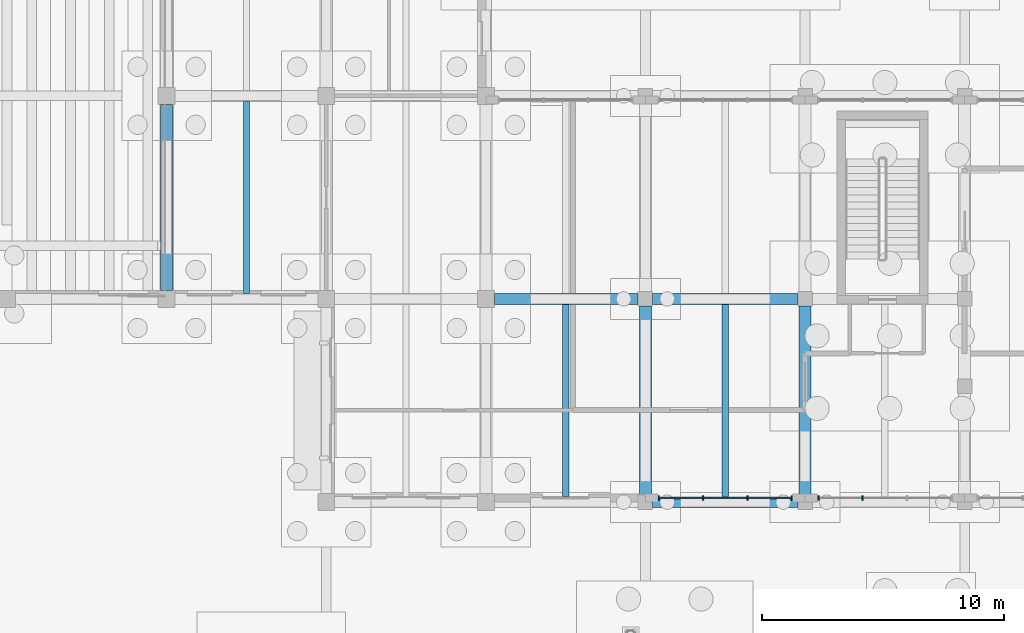
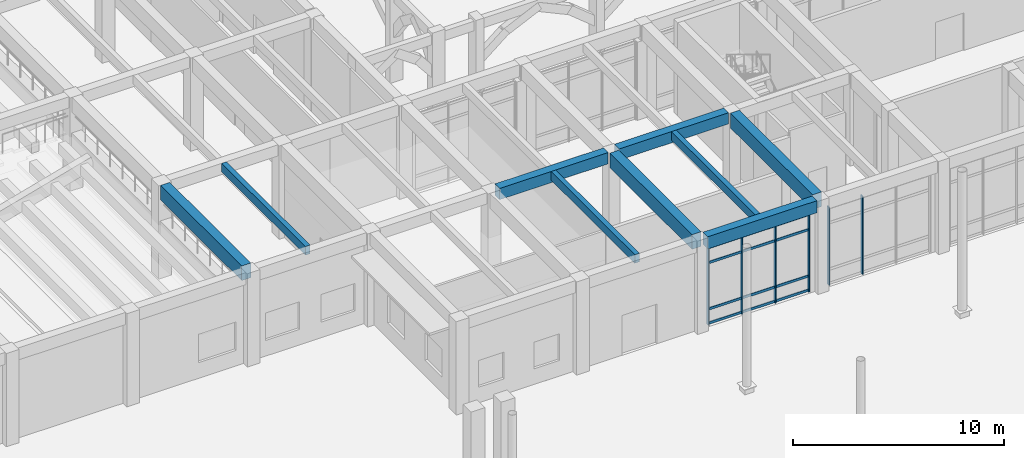
# One storey, part 25 of 82: 10 members, 9 beams, 2 elements without a shape of their own.
"""IFC4 building model written with IfcOpenShell, lengths in metres."""

import ifcopenshell
import ifcopenshell.guid

model = None  # the IFC model being written
_history = None  # IfcOwnerHistory: only IFC2X3 demands one
_inside = {}  # id of a spatial element -> (the spatial element, [elements in it])
_under = {}  # id of a project, library or spatial element -> (it, [spatial elements below it])
_declared = {}  # id of a project -> (the project, [libraries it declares])
_typed = {}  # id of a type object -> (the type object, [elements of that type])
_made_of = {}  # id of a material, layer set ... -> (it, [elements and type objects made of it])


def new_model(schema):
    """Start an empty IFC model of exactly this schema.

    Asked for "IFC4X3", IfcOpenShell would pick the latest addendum, in which some entities
    have other attributes; the version numbers below select the first issue.
    IFC2X3 requires an IfcOwnerHistory on every rooted entity: one is made here for all.
    """
    global model, _history
    if schema == "IFC4X3":
        model = ifcopenshell.file(schema_version=(4, 3, 0, 0))
    else:
        model = ifcopenshell.file(schema=schema)
    _inside.clear()
    _under.clear()
    _declared.clear()
    _typed.clear()
    _made_of.clear()
    _history = None
    if model.schema == "IFC2X3":
        org = make("IfcOrganization", Name="unknown")
        user = make(
            "IfcPersonAndOrganization",
            ThePerson=make("IfcPerson", FamilyName="unknown"),
            TheOrganization=org,
        )
        app = make(
            "IfcApplication",
            ApplicationDeveloper=org,
            Version="unknown",
            ApplicationFullName="unknown",
            ApplicationIdentifier="unknown",
        )
        _history = make(
            "IfcOwnerHistory",
            OwningUser=user,
            OwningApplication=app,
            ChangeAction="ADDED",
            CreationDate=0,
        )
    return model


def make(cls, **values):
    """One entity of the class cls with the attributes given. An attribute that is None is left unset."""
    return model.create_entity(
        cls, **{name: value for name, value in values.items() if value is not None}
    )


def rooted(cls, **values):
    """An entity with a GlobalId (a new one), such as an element, a storey or a relation."""
    return make(cls, GlobalId=ifcopenshell.guid.new(), OwnerHistory=_history, **values)


def si_unit(unit_type, name, prefix=None):
    """IfcSIUnit, for example si_unit("LENGTHUNIT", "METRE", prefix="MILLI")."""
    return make("IfcSIUnit", UnitType=unit_type, Prefix=prefix, Name=name)


def assignment(units):
    """IfcUnitAssignment: the units of a project."""
    return None if units is None else make("IfcUnitAssignment", Units=units)


def point(xyz):
    """IfcCartesianPoint."""
    return None if xyz is None else make("IfcCartesianPoint", Coordinates=xyz)


def direction(xyz):
    """IfcDirection."""
    return None if xyz is None else make("IfcDirection", DirectionRatios=xyz)


def frame(location, z_axis=None, x_axis=None):
    """IfcAxis2Placement3D, a coordinate frame: its origin and axes. An axis left out is left unset."""
    return make(
        "IfcAxis2Placement3D",
        Location=point(location),
        Axis=direction(z_axis),
        RefDirection=direction(x_axis),
    )


def frame_2d(location, x_axis=None):
    """IfcAxis2Placement2D, a coordinate frame in the plane: its origin and x axis."""
    return make(
        "IfcAxis2Placement2D", Location=point(location), RefDirection=direction(x_axis)
    )


def origin():
    """The frame at (0, 0, 0) with its axes left unset."""
    return frame((0.0, 0.0, 0.0))


def origin_2d():
    """The frame at (0, 0) in the plane with its x axis left unset."""
    return frame_2d((0.0, 0.0))


def place(relative_to, where):
    """IfcLocalPlacement: puts the frame where relative to a parent placement (None: the world)."""
    return make(
        "IfcLocalPlacement", PlacementRelTo=relative_to, RelativePlacement=where
    )


def context(
    kind, dimensions, precision=None, world=None, true_north=None, identifier=None
):
    """IfcGeometricRepresentationContext, for example the 3D "Model" context."""
    return make(
        "IfcGeometricRepresentationContext",
        ContextIdentifier=identifier,
        ContextType=kind,
        CoordinateSpaceDimension=dimensions,
        Precision=precision,
        WorldCoordinateSystem=world,
        TrueNorth=true_north,
    )


def subcontext(parent, identifier, kind, view, scale=None):
    """IfcGeometricRepresentationSubContext, for example "Body" below "Model"."""
    return make(
        "IfcGeometricRepresentationSubContext",
        ContextIdentifier=identifier,
        ContextType=kind,
        ParentContext=parent,
        TargetScale=scale,
        TargetView=view,
    )


def project(units=None, contexts=None):
    """IfcProject with its units and contexts."""
    return rooted(
        "IfcProject",
        Name="project",
        RepresentationContexts=contexts,
        UnitsInContext=assignment(units),
    )


def spatial(cls, under=None, at=None, **own):
    """A site, building, storey or space (cls), placed at a placement, below another one or the project."""
    s = rooted(cls, ObjectPlacement=at, **own)
    if under is not None:
        _under.setdefault(under.id(), (under, []))[1].append(s)
    return s


def profile(cls, at=None, kind="AREA", **sizes):
    """A parametric profile (cls). Its sizes go by their IFC names, for example OverallWidth=200.0."""
    return make(cls, ProfileType=kind, Position=at, **sizes)


def rectangle(**sizes):
    """IfcRectangleProfileDef."""
    return profile("IfcRectangleProfileDef", **sizes)


def extrude(swept, where, along, depth):
    """IfcExtrudedAreaSolid: the profile swept, set in the frame where, extruded along a direction by depth."""
    return make(
        "IfcExtrudedAreaSolid",
        SweptArea=swept,
        Position=where,
        ExtrudedDirection=direction(along),
        Depth=depth,
    )


def shape(context_of_items, identifier, shape_type, items):
    """IfcShapeRepresentation: the items that make up one representation, for example the "Body"."""
    return make(
        "IfcShapeRepresentation",
        ContextOfItems=context_of_items,
        RepresentationIdentifier=identifier,
        RepresentationType=shape_type,
        Items=items,
    )


def material(Name=None, Category=None):
    """IfcMaterial."""
    return make("IfcMaterial", Name=Name, Category=Category)


def layer(
    of_material, thickness, ventilated=None, Name=None, Category=None, Priority=None
):
    """IfcMaterialLayer: one layer of a wall or slab, of a material (None: an air gap)."""
    return make(
        "IfcMaterialLayer",
        Material=of_material,
        LayerThickness=thickness,
        IsVentilated=ventilated,
        Name=Name,
        Category=Category,
        Priority=Priority,
    )


def layer_set(layers, Name=None):
    """IfcMaterialLayerSet."""
    return make("IfcMaterialLayerSet", MaterialLayers=layers, LayerSetName=Name)


def material_profile(
    of_material, cross_section, Name=None, Category=None, Priority=None
):
    """IfcMaterialProfile: a cross section and its material."""
    return make(
        "IfcMaterialProfile",
        Name=Name,
        Material=of_material,
        Profile=cross_section,
        Priority=Priority,
        Category=Category,
    )


def profile_set(profiles, Name=None, composite=None):
    """IfcMaterialProfileSet."""
    return make(
        "IfcMaterialProfileSet",
        Name=Name,
        MaterialProfiles=profiles,
        CompositeProfile=composite,
    )


def made_of(thing, what):
    """Note that an element or type object is made of a material, layer set ...; save() writes the relation."""
    if what is not None:
        _made_of.setdefault(what.id(), (what, []))[1].append(thing)
    return thing


def type_object(cls, material=None, **own):
    """A type object (cls), such as IfcWallType, which elements share."""
    return made_of(rooted(cls, **own), material)


def element(
    cls,
    number,
    at=None,
    inside=None,
    cuts=None,
    type_object=None,
    material=None,
    context=None,
    identifier="Body",
    shape_type=None,
    held_by="IfcProductDefinitionShape",
    body=None,
    shapes=None,
    **own,
):
    """One element of the class cls, such as IfcWall. Its Tag is "e" and its number.

    at: its placement. inside: the storey or other place that contains it. cuts: it is an
    opening in that element (IfcRelVoidsElement). A single representation is given by context,
    identifier, shape_type and body (its items); several are given by shapes. held_by: the class
    of the entity that holds the representations. save() writes the other relations.
    """
    e = rooted(cls, Tag="e%d" % number, ObjectPlacement=at, **own)
    if body is not None:
        shapes = [shape(context, identifier, shape_type, body)]
    if shapes is not None:
        e.Representation = make(held_by, Representations=shapes)
    if inside is not None:
        _inside.setdefault(inside.id(), (inside, []))[1].append(e)
    if cuts is not None:
        rooted(
            "IfcRelVoidsElement", RelatingBuildingElement=cuts, RelatedOpeningElement=e
        )
    if type_object is not None:
        _typed.setdefault(type_object.id(), (type_object, []))[1].append(e)
    return made_of(e, material)


def aggregate(whole, parts):
    """IfcRelAggregates: a whole, such as a stair, and the parts it consists of."""
    return rooted("IfcRelAggregates", RelatingObject=whole, RelatedObjects=parts)


def save(model, path):
    """Write the relations noted so far, then the file.

    IfcRelAggregates (storeys below a building ...), IfcRelContainedInSpatialStructure (elements
    in a storey), IfcRelDefinesByType, IfcRelAssociatesMaterial and IfcRelDeclares: one each for
    every whole, place, type object, material and project.
    """
    for whole, parts in _under.values():
        aggregate(whole, parts)
    for where, things in _inside.values():
        rooted(
            "IfcRelContainedInSpatialStructure",
            RelatedElements=things,
            RelatingStructure=where,
        )
    for kind, things in _typed.values():
        rooted("IfcRelDefinesByType", RelatedObjects=things, RelatingType=kind)
    for what, things in _made_of.values():
        rooted("IfcRelAssociatesMaterial", RelatedObjects=things, RelatingMaterial=what)
    for by, libraries in _declared.values():
        rooted("IfcRelDeclares", RelatingContext=by, RelatedDefinitions=libraries)
    model.write(path)


model = new_model("IFC4")

# Units and contexts
model_context = context("Model", 3, precision=1e-05, world=origin(), true_north=direction((0.0, 1.0)))
body_context = subcontext(model_context, "Body", "Model", "MODEL_VIEW")
ifc_project = project(units=[si_unit("LENGTHUNIT", "METRE"), si_unit("AREAUNIT", "SQUARE_METRE"), si_unit("VOLUMEUNIT", "CUBIC_METRE"), si_unit("PLANEANGLEUNIT", "RADIAN"), si_unit("MASSUNIT", "GRAM", prefix="KILO")], contexts=[model_context])

# Site, building, storey
site_placement = place(None, origin())
site = spatial("IfcSite", under=ifc_project, at=site_placement, CompositionType="ELEMENT")
building_placement = place(site_placement, origin())
building = spatial("IfcBuilding", under=site, at=building_placement, Name="Kolvaren Faculty of Natural Sciences", CompositionType="ELEMENT")
storey_placement = place(building_placement, origin())
storey = spatial("IfcBuildingStorey", under=building, at=storey_placement, Name="L00", CompositionType="ELEMENT", Elevation=0.0)

# Curtain wall, members
ifc_material_1 = material(Name="Thermally broken anodised aluminium framing", Category="aluminium")
ifc_layer_1 = layer(ifc_material_1, 0.179931640625)
ifc_layer_set_1 = layer_set([ifc_layer_1], Name="Thermally broken anodised aluminium framing")
curtain_wall_type_1 = type_object("IfcCurtainWallType", Name="AtriumCurtainWall_CW01", PredefinedType="NOTDEFINED", material=ifc_layer_set_1)
curtain_wall_1_placement = place(storey_placement, origin())
curtain_wall_1 = element("IfcCurtainWall", 1, at=curtain_wall_1_placement, inside=storey, type_object=curtain_wall_type_1, Name="L00 unitised curtain wall CW-01 (CW-L00-005)", PredefinedType="NOTDEFINED")
ifc_material_profile_1 = material_profile(ifc_material_1, rectangle(XDim=0.06005859375, YDim=0.179931640625, at=origin_2d()), Name="ALU MUL 60x180")
ifc_profile_set_1 = profile_set([ifc_material_profile_1], Name="Thermally broken anodised aluminium framing")
member_type_1 = type_object("IfcMemberType", Name="CurtainMullion_60x180", PredefinedType="MULLION", material=ifc_profile_set_1)
member_1_placement = place(storey_placement, frame((61.9833984375, 67.570068359375, 0.0), z_axis=(0.0, 0.0, 1.0), x_axis=(-1.0, 0.0, 0.0)))
member_1 = element("IfcMember", 2, at=member_1_placement, type_object=member_type_1, Name="CW-L00-005 vertical mullion 3", PredefinedType="MULLION", context=body_context, shape_type="SweptSolid", body=[
    extrude(rectangle(XDim=0.06005859375, YDim=0.179931640625, at=origin_2d()), origin(), (0.0, 0.0, 1.0), 4.534912109375),
])
member_2_placement = place(storey_placement, frame((60.14990234375, 67.570068359375, 0.0), z_axis=(0.0, 0.0, 1.0), x_axis=(-1.0, 0.0, 0.0)))
member_2 = element("IfcMember", 3, at=member_2_placement, type_object=member_type_1, Name="CW-L00-005 vertical mullion 4", PredefinedType="MULLION", context=body_context, shape_type="SweptSolid", body=[
    extrude(rectangle(XDim=0.06005859375, YDim=0.179931640625, at=origin_2d()), origin(), (0.0, 0.0, 1.0), 4.534912109375),
])
aggregate(curtain_wall_1, [member_1, member_2])

ifc_layer_2 = layer(ifc_material_1, 0.179931640625)
ifc_layer_set_2 = layer_set([ifc_layer_2], Name="Thermally broken anodised aluminium framing")
curtain_wall_type_2 = type_object("IfcCurtainWallType", Name="CommonsCurtainWall_CW02", PredefinedType="NOTDEFINED", material=ifc_layer_set_2)
curtain_wall_2_placement = place(storey_placement, origin())
curtain_wall_2 = element("IfcCurtainWall", 4, at=curtain_wall_2_placement, inside=storey, type_object=curtain_wall_type_2, Name="L00 unitised curtain wall CW-02 (CW-L00-006)", PredefinedType="NOTDEFINED")
member_3_placement = place(storey_placement, frame((59.050048828125, 67.570068359375, 0.0), z_axis=(0.0, 0.0, 1.0), x_axis=(-1.0, 0.0, 0.0)))
member_3 = element("IfcMember", 5, at=member_3_placement, type_object=member_type_1, Name="CW-L00-006 vertical mullion 1", PredefinedType="MULLION", context=body_context, shape_type="SweptSolid", body=[
    extrude(rectangle(XDim=0.06005859375, YDim=0.179931640625, at=origin_2d()), origin(), (0.0, 0.0, 1.0), 4.534912109375),
])
member_4_placement = place(storey_placement, frame((57.216796875, 67.570068359375, 0.0), z_axis=(0.0, 0.0, 1.0), x_axis=(-1.0, 0.0, 0.0)))
member_4 = element("IfcMember", 6, at=member_4_placement, type_object=member_type_1, Name="CW-L00-006 vertical mullion 2", PredefinedType="MULLION", context=body_context, shape_type="SweptSolid", body=[
    extrude(rectangle(XDim=0.06005859375, YDim=0.179931640625, at=origin_2d()), origin(), (0.0, 0.0, 1.0), 4.534912109375),
])
member_5_placement = place(storey_placement, frame((55.38330078125, 67.570068359375, 0.0), z_axis=(0.0, 0.0, 1.0), x_axis=(-1.0, 0.0, 0.0)))
member_5 = element("IfcMember", 7, at=member_5_placement, type_object=member_type_1, Name="CW-L00-006 vertical mullion 3", PredefinedType="MULLION", context=body_context, shape_type="SweptSolid", body=[
    extrude(rectangle(XDim=0.06005859375, YDim=0.179931640625, at=origin_2d()), origin(), (0.0, 0.0, 1.0), 4.534912109375),
])
member_6_placement = place(storey_placement, frame((53.550048828125, 67.570068359375, 0.0), z_axis=(0.0, 0.0, 1.0), x_axis=(-1.0, 0.0, 0.0)))
member_6 = element("IfcMember", 8, at=member_6_placement, type_object=member_type_1, Name="CW-L00-006 vertical mullion 4", PredefinedType="MULLION", context=body_context, shape_type="SweptSolid", body=[
    extrude(rectangle(XDim=0.06005859375, YDim=0.179931640625, at=origin_2d()), origin(), (0.0, 0.0, 1.0), 4.534912109375),
])
ifc_material_profile_2 = material_profile(ifc_material_1, rectangle(XDim=0.06005859375, YDim=0.139892578125, at=origin_2d()), Name="ALU TRN 60x140")
ifc_profile_set_2 = profile_set([ifc_material_profile_2], Name="Thermally broken anodised aluminium framing")
member_type_2 = type_object("IfcMemberType", Name="CurtainTransom_60x140", PredefinedType="USERDEFINED", material=ifc_profile_set_2)
member_7_placement = place(storey_placement, frame((59.050048828125, 67.570068359375, 0.080078125), z_axis=(-1.0, 0.0, 0.0), x_axis=(0.0, -1.0, 0.0)))
member_7 = element("IfcMember", 9, at=member_7_placement, type_object=member_type_2, Name="CW-L00-006 horizontal transom 1", ObjectType="TRANSOM", PredefinedType="USERDEFINED", context=body_context, shape_type="SweptSolid", body=[
    extrude(rectangle(XDim=0.06005859375, YDim=0.139892578125, at=origin_2d()), origin(), (0.0, 0.0, 1.0), 5.5),
])
member_8_placement = place(storey_placement, frame((59.050048828125, 67.570068359375, 0.89990234375), z_axis=(-1.0, 0.0, 0.0), x_axis=(0.0, -1.0, 0.0)))
member_8 = element("IfcMember", 10, at=member_8_placement, type_object=member_type_2, Name="CW-L00-006 horizontal transom 2", ObjectType="TRANSOM", PredefinedType="USERDEFINED", context=body_context, shape_type="SweptSolid", body=[
    extrude(rectangle(XDim=0.06005859375, YDim=0.139892578125, at=origin_2d()), origin(), (0.0, 0.0, 1.0), 5.5),
])
member_9_placement = place(storey_placement, frame((59.050048828125, 67.570068359375, 3.5849609375), z_axis=(-1.0, 0.0, 0.0), x_axis=(0.0, -1.0, 0.0)))
member_9 = element("IfcMember", 11, at=member_9_placement, type_object=member_type_2, Name="CW-L00-006 horizontal transom 3", ObjectType="TRANSOM", PredefinedType="USERDEFINED", context=body_context, shape_type="SweptSolid", body=[
    extrude(rectangle(XDim=0.06005859375, YDim=0.139892578125, at=origin_2d()), origin(), (0.0, 0.0, 1.0), 5.5),
])
member_10_placement = place(storey_placement, frame((59.050048828125, 67.570068359375, 4.455078125), z_axis=(-1.0, 0.0, 0.0), x_axis=(0.0, -1.0, 0.0)))
member_10 = element("IfcMember", 12, at=member_10_placement, type_object=member_type_2, Name="CW-L00-006 horizontal transom 4", ObjectType="TRANSOM", PredefinedType="USERDEFINED", context=body_context, shape_type="SweptSolid", body=[
    extrude(rectangle(XDim=0.06005859375, YDim=0.139892578125, at=origin_2d()), origin(), (0.0, 0.0, 1.0), 5.5),
])
aggregate(curtain_wall_2, [member_3, member_4, member_5, member_6, member_7, member_8, member_9, member_10])

# Beams
ifc_material_2 = material(Name="Concrete C35/45", Category="concrete")
ifc_material_profile_3 = material_profile(ifc_material_2, rectangle(XDim=0.449951171875, YDim=0.64990234375, at=origin_2d()), Name="RC BM 450x650")
ifc_profile_set_3 = profile_set([ifc_material_profile_3], Name="Concrete C35/45")
beam_type_1 = type_object("IfcBeamType", Name="GridBeam_450x650", PredefinedType="BEAM", material=ifc_profile_set_3)
beam_1_placement = place(storey_placement, frame((46.75, 75.800048828125, 5.074951171875), z_axis=(1.0, 0.0, 0.0), x_axis=(0.0, 1.0, 0.0)))
element("IfcBeam", 13, at=beam_1_placement, inside=storey, type_object=beam_type_1, Name="L00 beam BM-65 on grid K", PredefinedType="BEAM", context=body_context, shape_type="SweptSolid", body=[
    extrude(rectangle(XDim=0.449951171875, YDim=0.64990234375, at=origin_2d()), origin(), (0.0, 0.0, 1.0), 5.949951171875),
])
beam_2_placement = place(storey_placement, frame((53.300048828125, 75.800048828125, 5.074951171875), z_axis=(1.0, 0.0, 0.0), x_axis=(0.0, 1.0, 0.0)))
element("IfcBeam", 14, at=beam_2_placement, inside=storey, type_object=beam_type_1, Name="L00 beam BM-65 on grid K", PredefinedType="BEAM", context=body_context, shape_type="SweptSolid", body=[
    extrude(rectangle(XDim=0.449951171875, YDim=0.64990234375, at=origin_2d()), origin(), (0.0, 0.0, 1.0), 6.0),
])
ifc_material_profile_4 = material_profile(ifc_material_2, rectangle(XDim=0.260009765625, YDim=0.5, at=origin_2d()), Name="RC JST 260x500")
ifc_profile_set_4 = profile_set([ifc_material_profile_4], Name="Concrete C35/45")
beam_type_2 = type_object("IfcBeamType", Name="LabRibJoist_260x500", PredefinedType="JOIST", material=ifc_profile_set_4)
beam_3_placement = place(storey_placement, frame((36.5, 76.02490234375, 5.14990234375), z_axis=(0.0, 1.0, 0.0), x_axis=(-1.0, 0.0, 0.0)))
element("IfcBeam", 15, at=beam_3_placement, inside=storey, type_object=beam_type_2, Name="L00 ribbed laboratory slab joist JS-50", PredefinedType="JOIST", context=body_context, shape_type="SweptSolid", body=[
    extrude(rectangle(XDim=0.260009765625, YDim=0.5, at=origin_2d()), origin(), (0.0, 0.0, 1.0), 7.9501953125),
])
for number, where, z_axis, x_axis, name in (
    (16, (49.699951171875, 67.625, 5.14990234375), (0.0, 1.0, 0.0), (-1.0, 0.0, 0.0), "L00 ribbed laboratory slab joist JS-50"),
    (17, (56.300048828125, 67.625, 5.14990234375), (0.0, 1.0, 0.0), (-1.0, 0.0, 0.0), "L00 ribbed laboratory slab joist JS-50"),
):
    element("IfcBeam", number, at=place(storey_placement, frame(where, z_axis=z_axis, x_axis=x_axis)), inside=storey, type_object=beam_type_2, Name=name, PredefinedType="JOIST", context=body_context, shape_type="SweptSolid", body=[
        extrude(rectangle(XDim=0.260009765625, YDim=0.5, at=origin_2d()), origin(), (0.0, 0.0, 1.0), 7.949951171875),
    ])
ifc_material_profile_5 = material_profile(ifc_material_2, rectangle(XDim=0.449951171875, YDim=0.699951171875, at=origin_2d()), Name="RC SP 450x700")
ifc_profile_set_5 = profile_set([ifc_material_profile_5], Name="Concrete C35/45")
beam_type_3 = type_object("IfcBeamType", Name="PerimeterSpandrel_450x700", PredefinedType="SPANDREL", material=ifc_profile_set_5)
beam_4_placement = place(storey_placement, frame((53.300048828125, 67.39990234375, 5.050048828125), z_axis=(1.0, 0.0, 0.0), x_axis=(0.0, 1.0, 0.0)))
element("IfcBeam", 18, at=beam_4_placement, inside=storey, type_object=beam_type_3, Name="L00 spandrel SP-70 on grid J", PredefinedType="SPANDREL", context=body_context, shape_type="SweptSolid", body=[
    extrude(rectangle(XDim=0.449951171875, YDim=0.699951171875, at=origin_2d()), origin(), (0.0, 0.0, 1.0), 6.0),
])
ifc_material_profile_6 = material_profile(ifc_material_2, rectangle(XDim=0.5, YDim=0.85009765625, at=origin_2d()), Name="RC BM 500x850")
ifc_profile_set_6 = profile_set([ifc_material_profile_6], Name="Concrete C35/45")
beam_type_4 = type_object("IfcBeamType", Name="PrimaryGirder_500x850", PredefinedType="BEAM", material=ifc_profile_set_6)
beam_5_placement = place(storey_placement, frame((33.199951171875, 76.14990234375, 4.97509765625), z_axis=(0.0, 1.0, 0.0), x_axis=(-1.0, 0.0, 0.0)))
element("IfcBeam", 19, at=beam_5_placement, inside=storey, type_object=beam_type_4, Name="L00 girder BG-85 on grid 6", PredefinedType="BEAM", context=body_context, shape_type="SweptSolid", body=[
    extrude(rectangle(XDim=0.5, YDim=0.85009765625, at=origin_2d()), origin(), (0.0, 0.0, 1.0), 7.7001953125),
])
for number, where, z_axis, x_axis, name in (
    (20, (53.0, 67.699951171875, 4.97509765625), (0.0, 1.0, 0.0), (-1.0, 0.0, 0.0), "L00 girder BG-85 on grid 9"),
    (21, (59.60009765625, 67.699951171875, 4.97509765625), (0.0, 1.0, 0.0), (-1.0, 0.0, 0.0), "L00 girder BG-85 on grid 10"),
):
    element("IfcBeam", number, at=place(storey_placement, frame(where, z_axis=z_axis, x_axis=x_axis)), inside=storey, type_object=beam_type_4, Name=name, PredefinedType="BEAM", context=body_context, shape_type="SweptSolid", body=[
        extrude(rectangle(XDim=0.5, YDim=0.85009765625, at=origin_2d()), origin(), (0.0, 0.0, 1.0), 7.800048828125),
    ])

save(model, "model.ifc")
